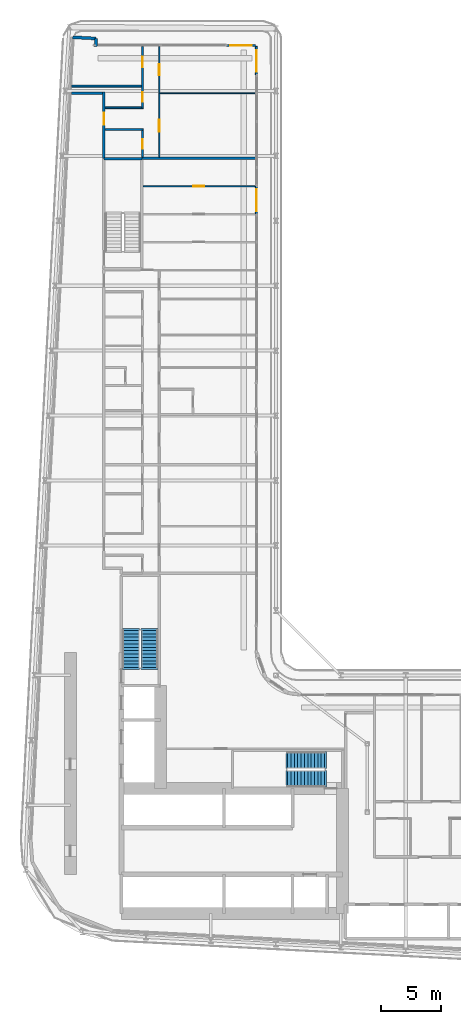
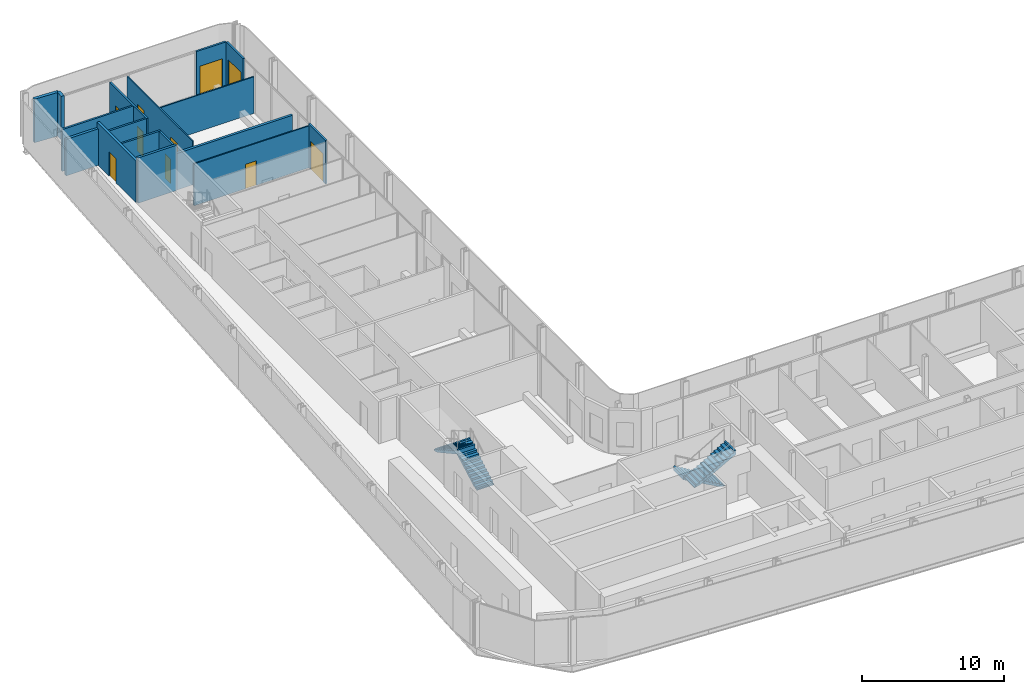
# One storey, part 19 of 27: 17 walls, 10 doors, 4 stair flights, 10 openings, 2 elements without a shape of their own.
"""IFC4 building model written with IfcOpenShell, lengths in metres."""

from ifc_helpers import new_model, si_unit, direction, frame, frame_2d, origin, place, context, subcontext, project, spatial, polyline, rectangle, outline, extrude, source, transform, mapped, material, layer, layer_set, type_object, element, fill, aggregate, save


model = new_model("IFC4")

# Units and contexts
model_context = context("Model", 3, precision=1e-05, world=origin(), true_north=direction((0.0, 1.0)))
body_context = subcontext(model_context, "Body", "Model", "MODEL_VIEW")
ifc_project = project(units=[si_unit("LENGTHUNIT", "METRE"), si_unit("AREAUNIT", "SQUARE_METRE"), si_unit("VOLUMEUNIT", "CUBIC_METRE"), si_unit("PLANEANGLEUNIT", "RADIAN"), si_unit("MASSUNIT", "GRAM", prefix="KILO")], contexts=[model_context])

# Site, building, storey
site_placement = place(None, origin())
site = spatial("IfcSite", under=ifc_project, at=site_placement, CompositionType="ELEMENT")
building_placement = place(site_placement, origin())
building = spatial("IfcBuilding", under=site, at=building_placement, Name="Kheshtan School and Residences Tower", CompositionType="ELEMENT")
storey_placement = place(building_placement, frame((0.0, 0.0, 50.0)))
storey = spatial("IfcBuildingStorey", under=building, at=storey_placement, Name="L11", CompositionType="ELEMENT", Elevation=50.0)

# Wall
ifc_material_1 = material(Name="Gypsum board on steel studs with fire boards", Category="steel")
ifc_layer_1 = layer(ifc_material_1, 0.199951171875)
ifc_layer_set_1 = layer_set([ifc_layer_1], Name="Corridor wall 200")
wall_type_1 = type_object("IfcWallType", Name="Corridor wall 200", PredefinedType="PARTITIONING", material=ifc_layer_set_1)
wall_1_placement = place(storey_placement, frame((30.584716796875, 94.0, 0.0), z_axis=(0.0, 0.0, 1.0), x_axis=(1.0, 0.0, 0.0)))
element("IfcWall", 1, at=wall_1_placement, inside=storey, type_object=wall_type_1, Name="Partition L11-002", PredefinedType="PARTITIONING", context=body_context, shape_type="SweptSolid", body=[
    extrude(rectangle(XDim=2.615234375, YDim=0.199951171875, at=frame_2d((1.3076171875, 0.0))), origin(), (0.0, 0.0, 1.0), 3.14697265625),
])

# Wall, opening, door
wall_2_placement = place(storey_placement, frame((33.300048828125, 88.60009765625, 0.0), z_axis=(0.0, 0.0, 1.0), x_axis=(0.0, 1.0, 0.0)))
wall_2 = element("IfcWall", 2, at=wall_2_placement, inside=storey, type_object=wall_type_1, Name="Partition L11-004", PredefinedType="PARTITIONING", context=body_context, shape_type="SweptSolid", body=[
    extrude(rectangle(XDim=5.5, YDim=0.199951171875, at=frame_2d((2.75, 0.0))), origin(), (0.0, 0.0, 1.0), 3.60009765625),
])
opening_1_placement = place(wall_2_placement, frame((2.800048828125, 0.0, 0.0)))
opening_1 = element("IfcOpeningElement", 3, at=opening_1_placement, cuts=wall_2, Name="Opening D10-052", PredefinedType="OPENING", context=body_context, shape_type="SweptSolid", body=[
    extrude(rectangle(XDim=1.0, YDim=2.10009765625, at=frame_2d((0.5, 1.050048828125))), frame((0.0, 0.10986328125, 0.0), z_axis=(0.0, -1.0, 0.0), x_axis=(1.0, 0.0, 0.0)), (0.0, 0.0, 1.0), 0.219970703125),
])
ifc_material_2 = material(Name="Steel-framed fire-resisting door leaf", Category="steel")
door_type_1 = type_object("IfcDoorType", Name="Fire door FD30S 1000 x 2100", OperationType="SINGLE_SWING_LEFT", PredefinedType="DOOR", material=ifc_material_2)
shared_shape_1 = source(origin(), body_context, "Body", "SweptSolid", [
    extrude(rectangle(XDim=1.0, YDim=2.10009765625, at=frame_2d((0.5, 1.050048828125))), frame((0.0, 0.02490234375, 0.0), z_axis=(0.0, -1.0, 0.0), x_axis=(1.0, 0.0, 0.0)), (0.0, 0.0, 1.0), 0.050048828125),
])
door_1_placement = place(opening_1_placement, origin())
door_1 = element("IfcDoor", 4, at=door_1_placement, inside=storey, type_object=door_type_1, Name="Door D10-052", OperationType="SINGLE_SWING_LEFT", OverallHeight=2.10009765625, OverallWidth=1.0, PredefinedType="DOOR", context=body_context, shape_type="MappedRepresentation", body=[
    mapped(shared_shape_1, transform((0.0, 0.0, 0.0), x_axis=(1.0, 0.0, 0.0), y_axis=(0.0, 1.0, 0.0), z_axis=(0.0, 0.0, 1.0), scale=1.0)),
])
fill(opening_1, door_1)

# Walls
ifc_material_3 = material(Name="Concrete C40/50 with ceramic cladding and mineral wool insulation", Category="concrete")
ifc_layer_2 = layer(ifc_material_3, 0.25)
ifc_layer_set_2 = layer_set([ifc_layer_2], Name="External wall 250 ceramic clad")
wall_type_2 = type_object("IfcWallType", Name="External wall 250 ceramic clad", PredefinedType="SOLIDWALL", material=ifc_layer_set_2)
wall_3_placement = place(storey_placement, frame((30.705078125, 98.6640625, 0.0), z_axis=(0.0, 0.0, 1.0), x_axis=(0.998577785791, -0.053314216913, 0.0)))
element("IfcWall", 5, at=wall_3_placement, inside=storey, type_object=wall_type_2, Name="External wall L11 5", PredefinedType="SOLIDWALL", context=body_context, shape_type="SweptSolid", body=[
    extrude(rectangle(XDim=1.95068359375, YDim=0.25, at=frame_2d((0.975341796875, 0.0))), origin(), (0.0, 0.0, 1.0), 3.75),
])
wall_4_placement = place(storey_placement, frame((32.653076171875, 98.56005859375, 0.0), z_axis=(0.0, 0.0, 1.0), x_axis=(-0.054093451632, -0.998535877418, 0.0)))
element("IfcWall", 6, at=wall_4_placement, inside=storey, type_object=wall_type_2, Name="External wall L11 6", PredefinedType="SOLIDWALL", context=body_context, shape_type="SweptSolid", body=[
    extrude(rectangle(XDim=0.66796875, YDim=0.25, at=frame_2d((0.333984375, 0.0))), origin(), (0.0, 0.0, 1.0), 3.75),
])

# Wall, opening, door
ifc_material_4 = material(Name="Aluminium frame wall with insulated infill", Category="aluminium")
ifc_layer_3 = layer(ifc_material_4, 0.14990234375)
ifc_layer_set_3 = layer_set([ifc_layer_3], Name="Glazing frame wall 150")
wall_type_3 = type_object("IfcWallType", Name="Glazing frame wall 150", PredefinedType="SOLIDWALL", material=ifc_layer_set_3)
wall_5_placement = place(storey_placement, frame((43.5, 97.97509765625, 0.0), z_axis=(0.0, 0.0, 1.0), x_axis=(1.0, 0.0, 0.0)))
wall_5 = element("IfcWall", 7, at=wall_5_placement, inside=storey, type_object=wall_type_3, Name="Balcony door wall L11 7.1", PredefinedType="SOLIDWALL", context=body_context, shape_type="SweptSolid", body=[
    extrude(rectangle(XDim=2.39990234375, YDim=0.14990234375, at=frame_2d((1.199951171875, 0.0))), origin(), (0.0, 0.0, 1.0), 3.75),
])
opening_2_placement = place(wall_5_placement, frame((0.300048828125, 0.0, 0.0)))
opening_2 = element("IfcOpeningElement", 8, at=opening_2_placement, cuts=wall_5, Name="Opening BD", PredefinedType="OPENING", context=body_context, shape_type="SweptSolid", body=[
    extrude(rectangle(XDim=1.800048828125, YDim=2.39990234375, at=frame_2d((0.89990234375, 1.199951171875))), frame((0.0, 0.0849609375, 0.0), z_axis=(0.0, -1.0, 0.0), x_axis=(1.0, 0.0, 0.0)), (0.0, 0.0, 1.0), 0.169921875),
])
ifc_material_5 = material(Name="Clear low-e glass in thermally broken aluminium frame", Category="aluminium")
door_type_2 = type_object("IfcDoorType", Name="Balcony sliding door", OperationType="SLIDING_TO_LEFT", PredefinedType="DOOR", material=ifc_material_5)
shared_shape_2 = source(origin(), body_context, "Body", "SweptSolid", [
    extrude(rectangle(XDim=1.800048828125, YDim=2.39990234375, at=frame_2d((0.89990234375, 1.199951171875))), frame((0.0, 0.02490234375, 0.0), z_axis=(0.0, -1.0, 0.0), x_axis=(1.0, 0.0, 0.0)), (0.0, 0.0, 1.0), 0.050048828125),
])
door_2_placement = place(opening_2_placement, origin())
door_2 = element("IfcDoor", 9, at=door_2_placement, inside=storey, type_object=door_type_2, Name="Balcony door L11 7.1", OperationType="SLIDING_TO_LEFT", OverallHeight=2.39990234375, OverallWidth=1.800048828125, PredefinedType="DOOR", context=body_context, shape_type="MappedRepresentation", body=[
    mapped(shared_shape_2, transform((0.0, 0.0, 0.0), x_axis=(1.0, 0.0, 0.0), y_axis=(0.0, 1.0, 0.0), z_axis=(0.0, 0.0, 1.0), scale=1.0)),
])
fill(opening_2, door_2)

wall_6_placement = place(storey_placement, frame((45.97509765625, 97.89990234375, 0.0), z_axis=(0.0, 0.0, 1.0), x_axis=(0.0, -1.0, 0.0)))
wall_6 = element("IfcWall", 10, at=wall_6_placement, inside=storey, type_object=wall_type_3, Name="Balcony door wall L11 8.1", PredefinedType="SOLIDWALL", context=body_context, shape_type="SweptSolid", body=[
    extrude(rectangle(XDim=2.39990234375, YDim=0.14990234375, at=frame_2d((1.199951171875, 0.0))), origin(), (0.0, 0.0, 1.0), 3.75),
])
opening_3_placement = place(wall_6_placement, frame((0.300048828125, 0.0, 0.0)))
opening_3 = element("IfcOpeningElement", 11, at=opening_3_placement, cuts=wall_6, Name="Opening BD", PredefinedType="OPENING", context=body_context, shape_type="SweptSolid", body=[
    extrude(rectangle(XDim=1.800048828125, YDim=2.39990234375, at=frame_2d((0.89990234375, 1.199951171875))), frame((0.0, 0.0849609375, 0.0), z_axis=(0.0, -1.0, 0.0), x_axis=(1.0, 0.0, 0.0)), (0.0, 0.0, 1.0), 0.169921875),
])
door_3_placement = place(opening_3_placement, origin())
door_3 = element("IfcDoor", 12, at=door_3_placement, inside=storey, type_object=door_type_2, Name="Balcony door L11 8.1", OperationType="SLIDING_TO_LEFT", OverallHeight=2.39990234375, OverallWidth=1.800048828125, PredefinedType="DOOR", context=body_context, shape_type="MappedRepresentation", body=[
    mapped(shared_shape_2, transform((0.0, 0.0, 0.0), x_axis=(1.0, 0.0, 0.0), y_axis=(0.0, 1.0, 0.0), z_axis=(0.0, 0.0, 1.0), scale=1.0)),
])
fill(opening_3, door_3)

wall_7_placement = place(storey_placement, frame((45.97509765625, 86.305908203125, 0.0), z_axis=(0.0, 0.0, 1.0), x_axis=(0.0, -1.0, 0.0)))
wall_7 = element("IfcWall", 13, at=wall_7_placement, inside=storey, type_object=wall_type_3, Name="Balcony door wall L11 8.2", PredefinedType="SOLIDWALL", context=body_context, shape_type="SweptSolid", body=[
    extrude(rectangle(XDim=2.39990234375, YDim=0.14990234375, at=frame_2d((1.199951171875, 0.0))), origin(), (0.0, 0.0, 1.0), 3.75),
])
opening_4_placement = place(wall_7_placement, frame((0.300048828125, 0.0, 0.0)))
opening_4 = element("IfcOpeningElement", 14, at=opening_4_placement, cuts=wall_7, Name="Opening BD", PredefinedType="OPENING", context=body_context, shape_type="SweptSolid", body=[
    extrude(rectangle(XDim=1.800048828125, YDim=2.39990234375, at=frame_2d((0.89990234375, 1.199951171875))), frame((0.0, 0.0849609375, 0.0), z_axis=(0.0, -1.0, 0.0), x_axis=(1.0, 0.0, 0.0)), (0.0, 0.0, 1.0), 0.169921875),
])
door_4_placement = place(opening_4_placement, origin())
door_4 = element("IfcDoor", 15, at=door_4_placement, inside=storey, type_object=door_type_2, Name="Balcony door L11 8.2", OperationType="SLIDING_TO_LEFT", OverallHeight=2.39990234375, OverallWidth=1.800048828125, PredefinedType="DOOR", context=body_context, shape_type="MappedRepresentation", body=[
    mapped(shared_shape_2, transform((0.0, 0.0, 0.0), x_axis=(1.0, 0.0, 0.0), y_axis=(0.0, 1.0, 0.0), z_axis=(0.0, 0.0, 1.0), scale=1.0)),
])
fill(opening_4, door_4)

ifc_material_6 = material(Name="Gypsum board on steel studs", Category="steel")
ifc_layer_4 = layer(ifc_material_6, 0.10009765625)
ifc_layer_set_4 = layer_set([ifc_layer_4], Name="Gypsum partition 100")
wall_type_4 = type_object("IfcWallType", Name="Gypsum partition 100", PredefinedType="PARTITIONING", material=ifc_layer_set_4)
wall_8_placement = place(storey_placement, frame((36.549072265625, 86.27490234375, 0.0), z_axis=(0.0, 0.0, 1.0), x_axis=(1.0, 0.0, 0.0)))
wall_8 = element("IfcWall", 16, at=wall_8_placement, inside=storey, type_object=wall_type_4, Name="Partition L11-032", PredefinedType="PARTITIONING", context=body_context, shape_type="SweptSolid", body=[
    extrude(rectangle(XDim=9.350830078125, YDim=0.10009765625, at=frame_2d((4.67529296875, 0.0))), origin(), (0.0, 0.0, 1.0), 3.60009765625),
])
opening_5_placement = place(wall_8_placement, frame((4.176025390625, 0.0, 0.0)))
opening_5 = element("IfcOpeningElement", 17, at=opening_5_placement, cuts=wall_8, Name="Opening D10-049", PredefinedType="OPENING", context=body_context, shape_type="SweptSolid", body=[
    extrude(rectangle(XDim=0.89990234375, YDim=2.10009765625, at=frame_2d((0.449951171875, 1.050048828125))), frame((0.0, 0.06005859375, 0.0), z_axis=(0.0, -1.0, 0.0), x_axis=(1.0, 0.0, 0.0)), (0.0, 0.0, 1.0), 0.1201171875),
])
ifc_material_7 = material(Name="Veneered timber door leaf", Category="wood")
door_type_3 = type_object("IfcDoorType", Name="Door 900 x 2100", OperationType="SINGLE_SWING_LEFT", PredefinedType="DOOR", material=ifc_material_7)
shared_shape_3 = source(origin(), body_context, "Body", "SweptSolid", [
    extrude(rectangle(XDim=0.89990234375, YDim=2.10009765625, at=frame_2d((0.449951171875, 1.050048828125))), frame((0.0, 0.02490234375, 0.0), z_axis=(0.0, -1.0, 0.0), x_axis=(1.0, 0.0, 0.0)), (0.0, 0.0, 1.0), 0.050048828125),
])
door_5_placement = place(opening_5_placement, origin())
door_5 = element("IfcDoor", 18, at=door_5_placement, inside=storey, type_object=door_type_3, Name="Door D10-049", OperationType="SINGLE_SWING_RIGHT", OverallHeight=2.10009765625, OverallWidth=0.89990234375, PredefinedType="DOOR", context=body_context, shape_type="MappedRepresentation", body=[
    mapped(shared_shape_3, transform((0.0, 0.0, 0.0), x_axis=(1.0, 0.0, 0.0), y_axis=(0.0, 1.0, 0.0), z_axis=(0.0, 0.0, 1.0), scale=1.0)),
])
fill(opening_5, door_5)

# Wall, openings, doors
wall_9_placement = place(storey_placement, frame((37.89990234375, 88.699951171875, 0.0), z_axis=(0.0, 0.0, 1.0), x_axis=(0.0, 1.0, 0.0)))
wall_9 = element("IfcWall", 19, at=wall_9_placement, inside=storey, type_object=wall_type_4, Name="Partition L11-035", PredefinedType="PARTITIONING", context=body_context, shape_type="SweptSolid", body=[
    extrude(rectangle(XDim=9.199951171875, YDim=0.10009765625, at=frame_2d((4.60009765625, 0.0))), origin(), (0.0, 0.0, 1.0), 3.60009765625),
])
opening_6_placement = place(wall_9_placement, frame((6.800048828125, 0.0, 0.0)))
opening_6 = element("IfcOpeningElement", 20, at=opening_6_placement, cuts=wall_9, Name="Opening D10-051", PredefinedType="OPENING", context=body_context, shape_type="SweptSolid", body=[
    extrude(rectangle(XDim=0.89990234375, YDim=2.10009765625, at=frame_2d((0.449951171875, 1.050048828125))), frame((0.0, 0.06005859375, 0.0), z_axis=(0.0, -1.0, 0.0), x_axis=(1.0, 0.0, 0.0)), (0.0, 0.0, 1.0), 0.1201171875),
])
opening_7_placement = place(wall_9_placement, frame((2.10009765625, 0.0, 0.0)))
opening_7 = element("IfcOpeningElement", 21, at=opening_7_placement, cuts=wall_9, Name="Opening D10-054", PredefinedType="OPENING", context=body_context, shape_type="SweptSolid", body=[
    extrude(rectangle(XDim=1.0, YDim=2.10009765625, at=frame_2d((0.5, 1.050048828125))), frame((0.0, 0.06005859375, 0.0), z_axis=(0.0, -1.0, 0.0), x_axis=(1.0, 0.0, 0.0)), (0.0, 0.0, 1.0), 0.1201171875),
])
door_type_4 = type_object("IfcDoorType", Name="Door 1000 x 2100", OperationType="SINGLE_SWING_LEFT", PredefinedType="DOOR", material=ifc_material_7)
shared_shape_4 = source(origin(), body_context, "Body", "SweptSolid", [
    extrude(rectangle(XDim=1.0, YDim=2.10009765625, at=frame_2d((0.5, 1.050048828125))), frame((0.0, 0.02490234375, 0.0), z_axis=(0.0, -1.0, 0.0), x_axis=(1.0, 0.0, 0.0)), (0.0, 0.0, 1.0), 0.050048828125),
])
door_6_placement = place(opening_7_placement, origin())
door_6 = element("IfcDoor", 22, at=door_6_placement, inside=storey, type_object=door_type_4, Name="Door D10-054", OperationType="SINGLE_SWING_LEFT", OverallHeight=2.10009765625, OverallWidth=1.0, PredefinedType="DOOR", context=body_context, shape_type="MappedRepresentation", body=[
    mapped(shared_shape_4, transform((0.0, 0.0, 0.0), x_axis=(1.0, 0.0, 0.0), y_axis=(0.0, 1.0, 0.0), z_axis=(0.0, 0.0, 1.0), scale=1.0)),
])
fill(opening_7, door_6)
door_7_placement = place(opening_6_placement, origin())
door_7 = element("IfcDoor", 23, at=door_7_placement, inside=storey, type_object=door_type_3, Name="Door D10-051", OperationType="SINGLE_SWING_RIGHT", OverallHeight=2.10009765625, OverallWidth=0.89990234375, PredefinedType="DOOR", context=body_context, shape_type="MappedRepresentation", body=[
    mapped(shared_shape_3, transform((0.0, 0.0, 0.0), x_axis=(1.0, 0.0, 0.0), y_axis=(0.0, 1.0, 0.0), z_axis=(0.0, 0.0, 1.0), scale=1.0)),
])
fill(opening_6, door_7)

# Walls
wall_10_placement = place(storey_placement, frame((37.949951171875, 94.0, 0.0), z_axis=(0.0, 0.0, 1.0), x_axis=(1.0, 0.0, 0.0)))
element("IfcWall", 24, at=wall_10_placement, inside=storey, type_object=wall_type_4, Name="Partition L11-036", PredefinedType="PARTITIONING", context=body_context, shape_type="SweptSolid", body=[
    extrude(rectangle(XDim=7.949951171875, YDim=0.10009765625, at=frame_2d((3.97509765625, 0.0))), origin(), (0.0, 0.0, 1.0), 3.14697265625),
])
ifc_material_8 = material(Name="Concrete C40/50", Category="concrete")
ifc_layer_5 = layer(ifc_material_8, 0.199951171875)
ifc_layer_set_5 = layer_set([ifc_layer_5], Name="Stair enclosure wall 200 Concrete C40/50")
wall_type_5 = type_object("IfcWallType", Name="Stair enclosure wall 200 Concrete C40/50", PredefinedType="SHEAR", material=ifc_layer_set_5)
wall_11_placement = place(storey_placement, frame((33.300048828125, 88.56005859375, 0.0), z_axis=(0.0, 0.0, 1.0), x_axis=(1.0, 0.0, 0.0)))
element("IfcWall", 25, at=wall_11_placement, inside=storey, type_object=wall_type_5, Name="Stair enclosure wall ST3", PredefinedType="SHEAR", context=body_context, shape_type="SweptSolid", body=[
    extrude(rectangle(XDim=3.14990234375, YDim=0.199951171875, at=frame_2d((1.574951171875, 0.0))), origin(), (0.0, 0.0, 1.0), 3.89990234375),
])
ifc_material_9 = material(Name="Twin gypsum board on steel studs with mineral wool", Category="steel")
ifc_layer_6 = layer(ifc_material_9, 0.199951171875)
ifc_layer_set_6 = layer_set([ifc_layer_6], Name="Unit demising wall 200")
wall_type_6 = type_object("IfcWallType", Name="Unit demising wall 200", PredefinedType="PARTITIONING", material=ifc_layer_set_6)
wall_12_placement = place(storey_placement, frame((36.425048828125, 88.60009765625, 0.0), z_axis=(0.0, 0.0, 1.0), x_axis=(1.0, 0.0, 0.0)))
element("IfcWall", 26, at=wall_12_placement, inside=storey, type_object=wall_type_6, Name="Partition L11-023", PredefinedType="PARTITIONING", context=body_context, shape_type="SweptSolid", body=[
    extrude(rectangle(XDim=9.474853515625, YDim=0.199951171875, at=frame_2d((4.7373046875, 0.0))), origin(), (0.0, 0.0, 1.0), 3.14697265625),
])
ifc_material_10 = material(Name="Moisture-resistant gypsum board on steel studs", Category="steel")
ifc_layer_7 = layer(ifc_material_10, 0.14990234375)
ifc_layer_set_7 = layer_set([ifc_layer_7], Name="Wet-room partition 150")
wall_type_7 = type_object("IfcWallType", Name="Wet-room partition 150", PredefinedType="PARTITIONING", material=ifc_layer_set_7)
wall_13_placement = place(storey_placement, frame((30.616943359375, 94.60009765625, 0.0), z_axis=(0.0, 0.0, 1.0), x_axis=(1.0, 0.0, 0.0)))
element("IfcWall", 27, at=wall_13_placement, inside=storey, type_object=wall_type_7, Name="Partition L11-001", PredefinedType="PARTITIONING", context=body_context, shape_type="SweptSolid", body=[
    extrude(rectangle(XDim=5.80810546875, YDim=0.14990234375, at=frame_2d((2.904052734375, 0.0))), origin(), (0.0, 0.0, 1.0), 3.60009765625),
])
wall_14_placement = place(storey_placement, frame((33.39990234375, 91.0, 0.0), z_axis=(0.0, 0.0, 1.0), x_axis=(1.0, 0.0, 0.0)))
element("IfcWall", 28, at=wall_14_placement, inside=storey, type_object=wall_type_7, Name="Partition L11-018", PredefinedType="PARTITIONING", context=body_context, shape_type="SweptSolid", body=[
    extrude(rectangle(XDim=3.175048828125, YDim=0.14990234375, at=frame_2d((1.58740234375, 0.0))), origin(), (0.0, 0.0, 1.0), 3.60009765625),
])
wall_15_placement = place(storey_placement, frame((33.39990234375, 92.800048828125, 0.0), z_axis=(0.0, 0.0, 1.0), x_axis=(1.0, 0.0, 0.0)))
element("IfcWall", 29, at=wall_15_placement, inside=storey, type_object=wall_type_7, Name="Partition L11-019", PredefinedType="PARTITIONING", context=body_context, shape_type="SweptSolid", body=[
    extrude(rectangle(XDim=3.025146484375, YDim=0.14990234375, at=frame_2d((1.5126953125, 0.0))), origin(), (0.0, 0.0, 1.0), 3.60009765625),
])

# Wall, opening, door
wall_16_placement = place(storey_placement, frame((36.5, 88.699951171875, 0.0), z_axis=(0.0, 0.0, 1.0), x_axis=(0.0, 1.0, 0.0)))
wall_16 = element("IfcWall", 30, at=wall_16_placement, inside=storey, type_object=wall_type_7, Name="Partition L11-028", PredefinedType="PARTITIONING", context=body_context, shape_type="SweptSolid", body=[
    extrude(rectangle(XDim=2.22509765625, YDim=0.14990234375, at=frame_2d((1.112548828125, 0.0))), origin(), (0.0, 0.0, 1.0), 3.60009765625),
])
opening_8_placement = place(wall_16_placement, frame((0.699951171875, 0.0, 0.0)))
opening_8 = element("IfcOpeningElement", 31, at=opening_8_placement, cuts=wall_16, Name="Opening D10-050", PredefinedType="OPENING", context=body_context, shape_type="SweptSolid", body=[
    extrude(rectangle(XDim=0.800048828125, YDim=2.10009765625, at=frame_2d((0.39990234375, 1.050048828125))), frame((0.0, 0.0849609375, 0.0), z_axis=(0.0, -1.0, 0.0), x_axis=(1.0, 0.0, 0.0)), (0.0, 0.0, 1.0), 0.169921875),
])
door_type_5 = type_object("IfcDoorType", Name="Door 800 x 2100", OperationType="SINGLE_SWING_LEFT", PredefinedType="DOOR", material=ifc_material_7)
shared_shape_5 = source(origin(), body_context, "Body", "SweptSolid", [
    extrude(rectangle(XDim=0.800048828125, YDim=2.10009765625, at=frame_2d((0.39990234375, 1.050048828125))), frame((0.0, 0.02490234375, 0.0), z_axis=(0.0, -1.0, 0.0), x_axis=(1.0, 0.0, 0.0)), (0.0, 0.0, 1.0), 0.050048828125),
])
door_8_placement = place(opening_8_placement, origin())
door_8 = element("IfcDoor", 32, at=door_8_placement, inside=storey, type_object=door_type_5, Name="Door D10-050", OperationType="SINGLE_SWING_LEFT", OverallHeight=2.10009765625, OverallWidth=0.800048828125, PredefinedType="DOOR", context=body_context, shape_type="MappedRepresentation", body=[
    mapped(shared_shape_5, transform((0.0, 0.0, 0.0), x_axis=(1.0, 0.0, 0.0), y_axis=(0.0, 1.0, 0.0), z_axis=(0.0, 0.0, 1.0), scale=1.0)),
])
fill(opening_8, door_8)

# Wall, openings, doors
wall_17_placement = place(storey_placement, frame((36.5, 92.72509765625, 0.0), z_axis=(0.0, 0.0, 1.0), x_axis=(0.0, 1.0, 0.0)))
wall_17 = element("IfcWall", 33, at=wall_17_placement, inside=storey, type_object=wall_type_7, Name="Partition L11-029", PredefinedType="PARTITIONING", context=body_context, shape_type="SweptSolid", body=[
    extrude(rectangle(XDim=5.1748046875, YDim=0.14990234375, at=frame_2d((2.58740234375, 0.0))), origin(), (0.0, 0.0, 1.0), 3.60009765625),
])
opening_9_placement = place(wall_17_placement, frame((3.425048828125, 0.0, 0.0)))
opening_9 = element("IfcOpeningElement", 34, at=opening_9_placement, cuts=wall_17, Name="Opening D10-053", PredefinedType="OPENING", context=body_context, shape_type="SweptSolid", body=[
    extrude(rectangle(XDim=0.89990234375, YDim=2.10009765625, at=frame_2d((0.449951171875, 1.050048828125))), frame((0.0, 0.0849609375, 0.0), z_axis=(0.0, -1.0, 0.0), x_axis=(1.0, 0.0, 0.0)), (0.0, 0.0, 1.0), 0.169921875),
])
opening_10_placement = place(wall_17_placement, frame((0.574951171875, 0.0, 0.0)))
opening_10 = element("IfcOpeningElement", 35, at=opening_10_placement, cuts=wall_17, Name="Opening D10-055", PredefinedType="OPENING", context=body_context, shape_type="SweptSolid", body=[
    extrude(rectangle(XDim=0.800048828125, YDim=2.10009765625, at=frame_2d((0.39990234375, 1.050048828125))), frame((0.0, 0.0849609375, 0.0), z_axis=(0.0, -1.0, 0.0), x_axis=(1.0, 0.0, 0.0)), (0.0, 0.0, 1.0), 0.169921875),
])
door_9_placement = place(opening_10_placement, origin())
door_9 = element("IfcDoor", 36, at=door_9_placement, inside=storey, type_object=door_type_5, Name="Door D10-055", OperationType="SINGLE_SWING_RIGHT", OverallHeight=2.10009765625, OverallWidth=0.800048828125, PredefinedType="DOOR", context=body_context, shape_type="MappedRepresentation", body=[
    mapped(shared_shape_5, transform((0.0, 0.0, 0.0), x_axis=(1.0, 0.0, 0.0), y_axis=(0.0, 1.0, 0.0), z_axis=(0.0, 0.0, 1.0), scale=1.0)),
])
fill(opening_10, door_9)
door_10_placement = place(opening_9_placement, origin())
door_10 = element("IfcDoor", 37, at=door_10_placement, inside=storey, type_object=door_type_3, Name="Door D10-053", OperationType="SINGLE_SWING_RIGHT", OverallHeight=2.10009765625, OverallWidth=0.89990234375, PredefinedType="DOOR", context=body_context, shape_type="MappedRepresentation", body=[
    mapped(shared_shape_3, transform((0.0, 0.0, 0.0), x_axis=(1.0, 0.0, 0.0), y_axis=(0.0, 1.0, 0.0), z_axis=(0.0, 0.0, 1.0), scale=1.0)),
])
fill(opening_9, door_10)

# Stair, stair flights
stair_type = type_object("IfcStairType", Name="Exit stair, half-turn", PredefinedType="HALF_TURN_STAIR", material=ifc_material_8)
stair_1_placement = place(storey_placement, origin())
stair_1 = element("IfcStair", 38, at=stair_1_placement, inside=storey, type_object=stair_type, Name="L11 Protected Exit Stair ST1", PredefinedType="HALF_TURN_STAIR")
ifc_layer_8 = layer(ifc_material_8, 0.14990234375)
ifc_layer_set_8 = layer_set([ifc_layer_8], Name="Stair flight 1400 Concrete C40/50")
stair_flight_type = type_object("IfcStairFlightType", Name="Stair flight 1400 Concrete C40/50", PredefinedType="STRAIGHT", material=ifc_layer_set_8)
stair_flight_1_placement = place(storey_placement, frame((51.64990234375, 38.550048828125, 0.0), z_axis=(0.0, 0.0, 1.0), x_axis=(-1.0, 0.0, 0.0)))
stair_flight_1 = element("IfcStairFlight", 39, at=stair_flight_1_placement, type_object=stair_flight_type, Name="ST1 flight 1", NumberOfRisers=12, NumberOfTreads=11, PredefinedType="STRAIGHT", RiserHeight=0.1625, TreadLength=0.28, context=body_context, shape_type="SweptSolid", body=[
    extrude(outline(polyline([(-0.14990234375, -0.10009765625), (-0.14990234375, 0.0), (0.0, 0.0), (0.0, 0.16259765625), (0.280029296875, 0.16259765625), (0.280029296875, 0.324951171875), (0.56005859375, 0.324951171875), (0.56005859375, 0.487548828125), (0.840087890625, 0.487548828125), (0.840087890625, 0.64990234375), (1.1201171875, 0.64990234375), (1.1201171875, 0.8125), (1.39990234375, 0.8125), (1.39990234375, 0.97509765625), (1.679931640625, 0.97509765625), (1.679931640625, 1.137451171875), (1.9599609375, 1.137451171875), (1.9599609375, 1.300048828125), (2.239990234375, 1.300048828125), (2.239990234375, 1.46240234375), (2.52001953125, 1.46240234375), (2.52001953125, 1.625), (2.800048828125, 1.625), (2.800048828125, 1.78759765625), (3.080078125, 1.78759765625), (3.080078125, 1.949951171875), (3.080078125, 1.969970703125), (3.22998046875, 1.969970703125), (3.22998046875, 1.6142578125), (0.298583984375, 0.0), (-0.14990234375, -0.10009765625)])), frame((0.0, 0.699951171875, 0.0), z_axis=(0.0, -1.0, 0.0), x_axis=(1.0, 0.0, 0.0)), (0.0, 0.0, 1.0), 1.39990234375),
])
stair_flight_2_placement = place(storey_placement, frame((48.570068359375, 37.0, 1.949951171875), z_axis=(0.0, 0.0, 1.0), x_axis=(1.0, 0.0, 0.0)))
stair_flight_2 = element("IfcStairFlight", 40, at=stair_flight_2_placement, type_object=stair_flight_type, Name="ST1 flight 2", NumberOfRisers=12, NumberOfTreads=11, PredefinedType="STRAIGHT", RiserHeight=0.1625, TreadLength=0.28, context=body_context, shape_type="SweptSolid", body=[
    extrude(outline(polyline([(-0.14990234375, -0.10009765625), (-0.14990234375, 0.0), (0.0, 0.0), (0.0, 0.16259765625), (0.280029296875, 0.16259765625), (0.280029296875, 0.324951171875), (0.56005859375, 0.324951171875), (0.56005859375, 0.487548828125), (0.840087890625, 0.487548828125), (0.840087890625, 0.64990234375), (1.1201171875, 0.64990234375), (1.1201171875, 0.8125), (1.39990234375, 0.8125), (1.39990234375, 0.97509765625), (1.679931640625, 0.97509765625), (1.679931640625, 1.137451171875), (1.9599609375, 1.137451171875), (1.9599609375, 1.300048828125), (2.239990234375, 1.300048828125), (2.239990234375, 1.46240234375), (2.52001953125, 1.46240234375), (2.52001953125, 1.625), (2.800048828125, 1.625), (2.800048828125, 1.78759765625), (3.080078125, 1.78759765625), (3.080078125, 1.949951171875), (3.080078125, 1.969970703125), (3.22998046875, 1.969970703125), (3.22998046875, 1.6142578125), (0.298583984375, 0.0), (-0.14990234375, -0.10009765625)])), frame((0.0, 0.699951171875, 0.0), z_axis=(0.0, -1.0, 0.0), x_axis=(1.0, 0.0, 0.0)), (0.0, 0.0, 1.0), 1.39990234375),
])
aggregate(stair_1, [stair_flight_1, stair_flight_2])

stair_2_placement = place(storey_placement, origin())
stair_2 = element("IfcStair", 41, at=stair_2_placement, inside=storey, type_object=stair_type, Name="L11 Protected Exit Stair ST2", PredefinedType="HALF_TURN_STAIR")
stair_flight_3_placement = place(storey_placement, frame((37.10009765625, 46.25, 0.0), z_axis=(0.0, 0.0, 1.0), x_axis=(0.0, 1.0, 0.0)))
stair_flight_3 = element("IfcStairFlight", 42, at=stair_flight_3_placement, type_object=stair_flight_type, Name="ST2 flight 1", NumberOfRisers=12, NumberOfTreads=11, PredefinedType="STRAIGHT", RiserHeight=0.1625, TreadLength=0.28, context=body_context, shape_type="SweptSolid", body=[
    extrude(outline(polyline([(-0.14990234375, -0.10009765625), (-0.14990234375, 0.0), (0.0, 0.0), (0.0, 0.16259765625), (0.280029296875, 0.16259765625), (0.280029296875, 0.324951171875), (0.56005859375, 0.324951171875), (0.56005859375, 0.487548828125), (0.840087890625, 0.487548828125), (0.840087890625, 0.64990234375), (1.1201171875, 0.64990234375), (1.1201171875, 0.8125), (1.39990234375, 0.8125), (1.39990234375, 0.97509765625), (1.679931640625, 0.97509765625), (1.679931640625, 1.137451171875), (1.9599609375, 1.137451171875), (1.9599609375, 1.300048828125), (2.239990234375, 1.300048828125), (2.239990234375, 1.46240234375), (2.52001953125, 1.46240234375), (2.52001953125, 1.625), (2.800048828125, 1.625), (2.800048828125, 1.78759765625), (3.080078125, 1.78759765625), (3.080078125, 1.949951171875), (3.080078125, 1.969970703125), (3.22998046875, 1.969970703125), (3.22998046875, 1.6142578125), (0.298583984375, 0.0), (-0.14990234375, -0.10009765625)])), frame((0.0, 0.699951171875, 0.0), z_axis=(0.0, -1.0, 0.0), x_axis=(1.0, 0.0, 0.0)), (0.0, 0.0, 1.0), 1.39990234375),
])
stair_flight_4_placement = place(storey_placement, frame((35.550048828125, 49.330078125, 1.949951171875), z_axis=(0.0, 0.0, 1.0), x_axis=(0.0, -1.0, 0.0)))
stair_flight_4 = element("IfcStairFlight", 43, at=stair_flight_4_placement, type_object=stair_flight_type, Name="ST2 flight 2", NumberOfRisers=12, NumberOfTreads=11, PredefinedType="STRAIGHT", RiserHeight=0.1625, TreadLength=0.28, context=body_context, shape_type="SweptSolid", body=[
    extrude(outline(polyline([(-0.14990234375, -0.10009765625), (-0.14990234375, 0.0), (0.0, 0.0), (0.0, 0.16259765625), (0.280029296875, 0.16259765625), (0.280029296875, 0.324951171875), (0.56005859375, 0.324951171875), (0.56005859375, 0.487548828125), (0.840087890625, 0.487548828125), (0.840087890625, 0.64990234375), (1.1201171875, 0.64990234375), (1.1201171875, 0.8125), (1.39990234375, 0.8125), (1.39990234375, 0.97509765625), (1.679931640625, 0.97509765625), (1.679931640625, 1.137451171875), (1.9599609375, 1.137451171875), (1.9599609375, 1.300048828125), (2.239990234375, 1.300048828125), (2.239990234375, 1.46240234375), (2.52001953125, 1.46240234375), (2.52001953125, 1.625), (2.800048828125, 1.625), (2.800048828125, 1.78759765625), (3.080078125, 1.78759765625), (3.080078125, 1.949951171875), (3.080078125, 1.969970703125), (3.22998046875, 1.969970703125), (3.22998046875, 1.6142578125), (0.298583984375, 0.0), (-0.14990234375, -0.10009765625)])), frame((0.0, 0.699951171875, 0.0), z_axis=(0.0, -1.0, 0.0), x_axis=(1.0, 0.0, 0.0)), (0.0, 0.0, 1.0), 1.39990234375),
])
aggregate(stair_2, [stair_flight_3, stair_flight_4])

save(model, "model.ifc")
